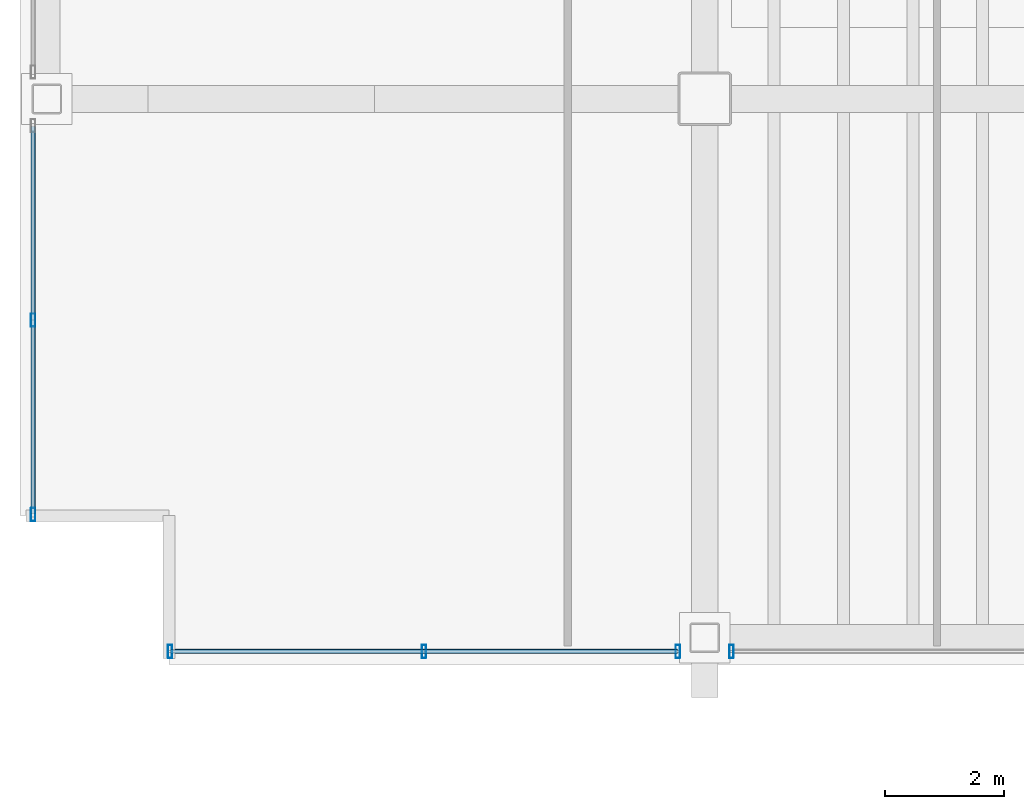
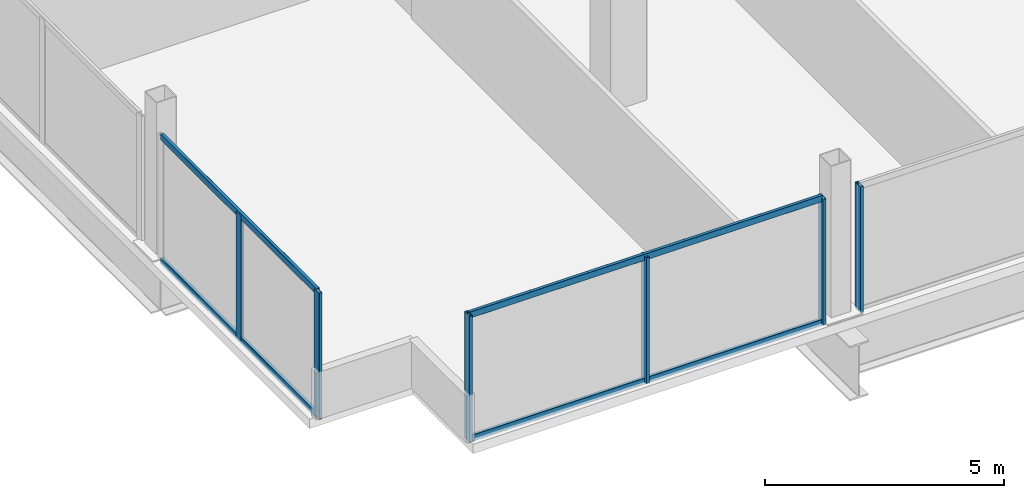
# One storey, part 2 of 24: 10 members, 3 elements without a shape of their own.
"""IFC4 building model written with IfcOpenShell, lengths in metres."""

from ifc_helpers import new_model, si_unit, direction, frame, origin, origin_2d, place, context, subcontext, project, spatial, hollow_rectangle, extrude, material, material_profile, profile_set, type_object, element, aggregate, save


model = new_model("IFC4")

# Units and contexts
model_context = context("Model", 3, precision=1e-05, world=origin(), true_north=direction((0.0, 1.0)))
body_context = subcontext(model_context, "Body", "Model", "MODEL_VIEW")
ifc_project = project(units=[si_unit("LENGTHUNIT", "METRE"), si_unit("AREAUNIT", "SQUARE_METRE"), si_unit("VOLUMEUNIT", "CUBIC_METRE"), si_unit("PLANEANGLEUNIT", "RADIAN"), si_unit("MASSUNIT", "GRAM", prefix="KILO")], contexts=[model_context])

# Site, building, storey
site_placement = place(None, origin())
site = spatial("IfcSite", under=ifc_project, at=site_placement, CompositionType="ELEMENT")
building_placement = place(site_placement, origin())
building = spatial("IfcBuilding", under=site, at=building_placement, Name="Noeulbin Bourse Tower", CompositionType="ELEMENT")
storey_placement = place(building_placement, frame((0.0, 0.0, 114.89990234375)))
storey = spatial("IfcBuildingStorey", under=building, at=storey_placement, Name="L28", CompositionType="ELEMENT", Elevation=114.89990234375)

# Curtain wall, members
ifc_material_1 = material(Name="Dark Tinted Triple Glazing", Category="glass")
curtain_wall_type = type_object("IfcCurtainWallType", Name="CW-SYS-3", PredefinedType="NOTDEFINED", material=ifc_material_1)
curtain_wall_1_placement = place(storey_placement, origin())
curtain_wall_1 = element("IfcCurtainWall", 1, at=curtain_wall_1_placement, inside=storey, type_object=curtain_wall_type, Name="Unitised Curtain Wall CW-L28-S1-S1", PredefinedType="NOTDEFINED")
ifc_material_2 = material(Name="Anodised Aluminium 6063-T6", Category="aluminium")
ifc_material_profile_1 = material_profile(ifc_material_2, hollow_rectangle(XDim=0.074951171875, YDim=0.219970703125, WallThickness=0.0048828125, InnerFilletRadius=0.00244140625, OuterFilletRadius=0.0048828125, at=origin_2d()), Name="ALU-MULL-75x220x5", Category="LoadBearing")
ifc_profile_set_1 = profile_set([ifc_material_profile_1], Name="Anodised Aluminium 6063-T6")
member_type_1 = type_object("IfcMemberType", Name="CW-SYS-3-MUL", PredefinedType="MULLION", material=ifc_profile_set_1)
member_1_placement = place(storey_placement, frame((4.52001953125, 10.719970703125, -0.02001953125), z_axis=(0.0, 0.0, 1.0), x_axis=(1.0, 0.0, 0.0)))
member_1 = element("IfcMember", 2, at=member_1_placement, type_object=member_type_1, Name="Curtain Wall Mullion CW-L28-S1-S1-M00", PredefinedType="MULLION", context=body_context, shape_type="SweptSolid", body=[
    extrude(hollow_rectangle(XDim=0.074951171875, YDim=0.219970703125, WallThickness=0.0048828125, InnerFilletRadius=0.00244140625, OuterFilletRadius=0.0048828125, at=origin_2d()), origin(), (0.0, 0.0, 1.0), 3.22021484375),
])
member_2_placement = place(storey_placement, frame((8.784912109375, 10.719970703125, -0.02001953125), z_axis=(0.0, 0.0, 1.0), x_axis=(1.0, 0.0, 0.0)))
member_2 = element("IfcMember", 3, at=member_2_placement, type_object=member_type_1, Name="Curtain Wall Mullion CW-L28-S1-S1-M01", PredefinedType="MULLION", context=body_context, shape_type="SweptSolid", body=[
    extrude(hollow_rectangle(XDim=0.074951171875, YDim=0.219970703125, WallThickness=0.0048828125, InnerFilletRadius=0.00244140625, OuterFilletRadius=0.0048828125, at=origin_2d()), origin(), (0.0, 0.0, 1.0), 3.22021484375),
])
member_3_placement = place(storey_placement, frame((13.050048828125, 10.719970703125, -0.02001953125), z_axis=(0.0, 0.0, 1.0), x_axis=(1.0, 0.0, 0.0)))
member_3 = element("IfcMember", 4, at=member_3_placement, type_object=member_type_1, Name="Curtain Wall Mullion CW-L28-S1-S1-M02", PredefinedType="MULLION", context=body_context, shape_type="SweptSolid", body=[
    extrude(hollow_rectangle(XDim=0.074951171875, YDim=0.219970703125, WallThickness=0.0048828125, InnerFilletRadius=0.00244140625, OuterFilletRadius=0.0048828125, at=origin_2d()), origin(), (0.0, 0.0, 1.0), 3.22021484375),
])

# Curtain wall, member
curtain_wall_2_placement = place(storey_placement, origin())
curtain_wall_2 = element("IfcCurtainWall", 5, at=curtain_wall_2_placement, inside=storey, type_object=curtain_wall_type, Name="Unitised Curtain Wall CW-L28-S1-S2", PredefinedType="NOTDEFINED")
member_4_placement = place(storey_placement, frame((13.949951171875, 10.719970703125, -0.02001953125), z_axis=(0.0, 0.0, 1.0), x_axis=(1.0, 0.0, 0.0)))
member_4 = element("IfcMember", 6, at=member_4_placement, type_object=member_type_1, Name="Curtain Wall Mullion CW-L28-S1-S2-M00", PredefinedType="MULLION", context=body_context, shape_type="SweptSolid", body=[
    extrude(hollow_rectangle(XDim=0.074951171875, YDim=0.219970703125, WallThickness=0.0048828125, InnerFilletRadius=0.00244140625, OuterFilletRadius=0.0048828125, at=origin_2d()), origin(), (0.0, 0.0, 1.0), 3.22021484375),
])
aggregate(curtain_wall_2, [member_4])

# Curtain wall, members
curtain_wall_3_placement = place(storey_placement, origin())
curtain_wall_3 = element("IfcCurtainWall", 7, at=curtain_wall_3_placement, inside=storey, type_object=curtain_wall_type, Name="Unitised Curtain Wall CW-L28-W-S1", PredefinedType="NOTDEFINED")
member_5_placement = place(storey_placement, frame((2.219970703125, 13.02001953125, -0.02001953125), z_axis=(0.0, 0.0, 1.0), x_axis=(1.0, 0.0, 0.0)))
member_5 = element("IfcMember", 8, at=member_5_placement, type_object=member_type_1, Name="Curtain Wall Mullion CW-L28-W-S1-M00", PredefinedType="MULLION", context=body_context, shape_type="SweptSolid", body=[
    extrude(hollow_rectangle(XDim=0.074951171875, YDim=0.219970703125, WallThickness=0.0048828125, InnerFilletRadius=0.00244140625, OuterFilletRadius=0.0048828125, at=origin_2d()), origin(), (0.0, 0.0, 1.0), 3.22021484375),
])
member_6_placement = place(storey_placement, frame((2.219970703125, 16.284912109375, -0.02001953125), z_axis=(0.0, 0.0, 1.0), x_axis=(1.0, 0.0, 0.0)))
member_6 = element("IfcMember", 9, at=member_6_placement, type_object=member_type_1, Name="Curtain Wall Mullion CW-L28-W-S1-M01", PredefinedType="MULLION", context=body_context, shape_type="SweptSolid", body=[
    extrude(hollow_rectangle(XDim=0.074951171875, YDim=0.219970703125, WallThickness=0.0048828125, InnerFilletRadius=0.00244140625, OuterFilletRadius=0.0048828125, at=origin_2d()), origin(), (0.0, 0.0, 1.0), 3.22021484375),
])

# Member
ifc_material_profile_2 = material_profile(ifc_material_2, hollow_rectangle(XDim=0.074951171875, YDim=0.159912109375, WallThickness=0.0048828125, InnerFilletRadius=0.00244140625, OuterFilletRadius=0.0048828125, at=origin_2d()), Name="ALU-TRAN-75x160x5", Category="LoadBearing")
ifc_profile_set_2 = profile_set([ifc_material_profile_2], Name="Anodised Aluminium 6063-T6")
member_type_2 = type_object("IfcMemberType", Name="CW-SYS-3-TRN", PredefinedType="USERDEFINED", material=ifc_profile_set_2)
member_7_placement = place(storey_placement, frame((4.530029296875, 10.719970703125, 0.010009765625), z_axis=(1.0, 0.0, 0.0), x_axis=(0.0, 1.0, 0.0)))
member_7 = element("IfcMember", 10, at=member_7_placement, type_object=member_type_2, Name="Curtain Wall Transom CW-L28-S1-S1-T00", ObjectType="TRANSOM", PredefinedType="USERDEFINED", context=body_context, shape_type="SweptSolid", body=[
    extrude(hollow_rectangle(XDim=0.074951171875, YDim=0.159912109375, WallThickness=0.0048828125, InnerFilletRadius=0.00244140625, OuterFilletRadius=0.0048828125, at=origin_2d()), origin(), (0.0, 0.0, 1.0), 8.510009765625),
])

member_8_placement = place(storey_placement, frame((4.530029296875, 10.719970703125, 3.170166015625), z_axis=(1.0, 0.0, 0.0), x_axis=(0.0, 1.0, 0.0)))
member_8 = element("IfcMember", 11, at=member_8_placement, type_object=member_type_2, Name="Curtain Wall Transom CW-L28-S1-S1-T01", ObjectType="TRANSOM", PredefinedType="USERDEFINED", context=body_context, shape_type="SweptSolid", body=[
    extrude(hollow_rectangle(XDim=0.074951171875, YDim=0.159912109375, WallThickness=0.0048828125, InnerFilletRadius=0.00244140625, OuterFilletRadius=0.0048828125, at=origin_2d()), origin(), (0.0, 0.0, 1.0), 8.510009765625),
])

aggregate(curtain_wall_1, [member_1, member_2, member_3, member_7, member_8])

member_9_placement = place(storey_placement, frame((2.219970703125, 13.030029296875, 0.010009765625), z_axis=(0.0, 1.0, 0.0), x_axis=(-1.0, 0.0, 0.0)))
member_9 = element("IfcMember", 12, at=member_9_placement, type_object=member_type_2, Name="Curtain Wall Transom CW-L28-W-S1-T00", ObjectType="TRANSOM", PredefinedType="USERDEFINED", context=body_context, shape_type="SweptSolid", body=[
    extrude(hollow_rectangle(XDim=0.074951171875, YDim=0.159912109375, WallThickness=0.0048828125, InnerFilletRadius=0.00244140625, OuterFilletRadius=0.0048828125, at=origin_2d()), origin(), (0.0, 0.0, 1.0), 6.510009765625),
])

member_10_placement = place(storey_placement, frame((2.219970703125, 13.030029296875, 3.170166015625), z_axis=(0.0, 1.0, 0.0), x_axis=(-1.0, 0.0, 0.0)))
member_10 = element("IfcMember", 13, at=member_10_placement, type_object=member_type_2, Name="Curtain Wall Transom CW-L28-W-S1-T01", ObjectType="TRANSOM", PredefinedType="USERDEFINED", context=body_context, shape_type="SweptSolid", body=[
    extrude(hollow_rectangle(XDim=0.074951171875, YDim=0.159912109375, WallThickness=0.0048828125, InnerFilletRadius=0.00244140625, OuterFilletRadius=0.0048828125, at=origin_2d()), origin(), (0.0, 0.0, 1.0), 6.510009765625),
])

aggregate(curtain_wall_3, [member_5, member_6, member_9, member_10])

save(model, "model.ifc")
